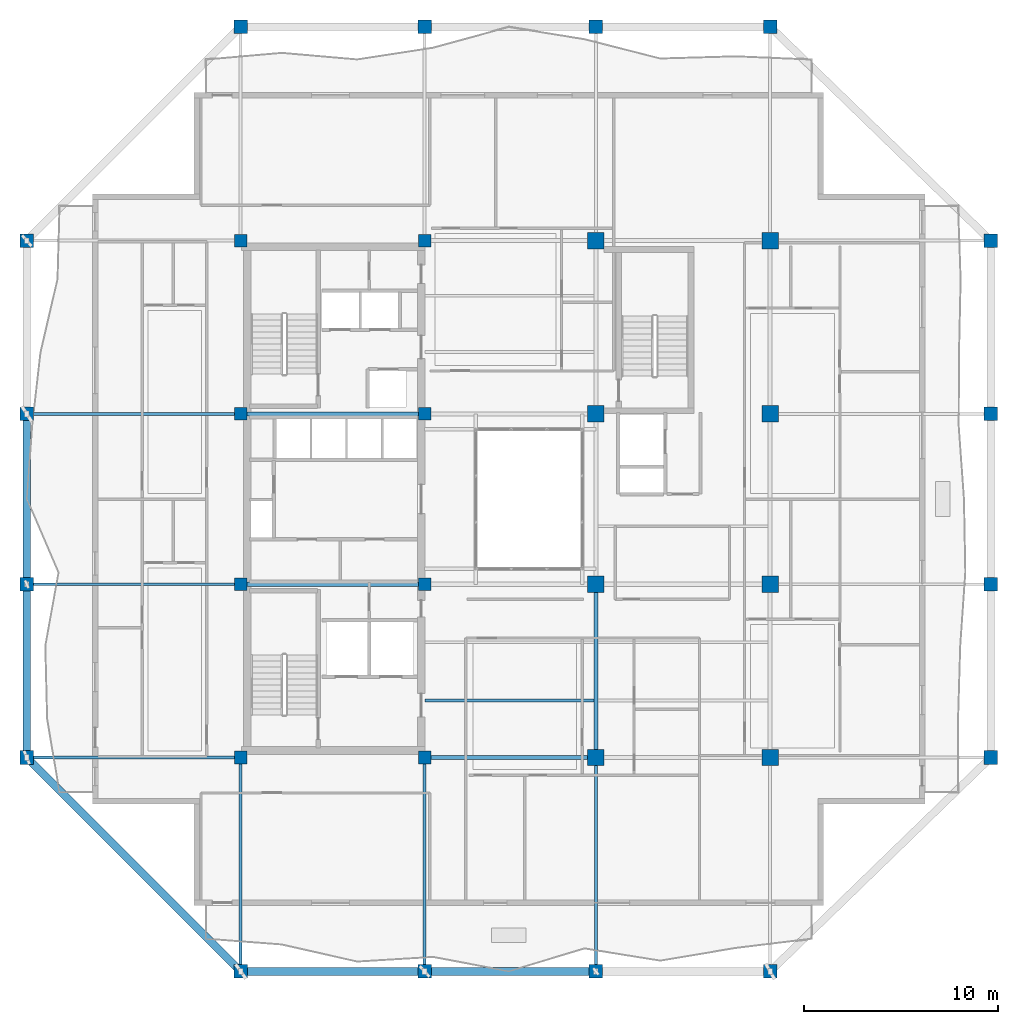
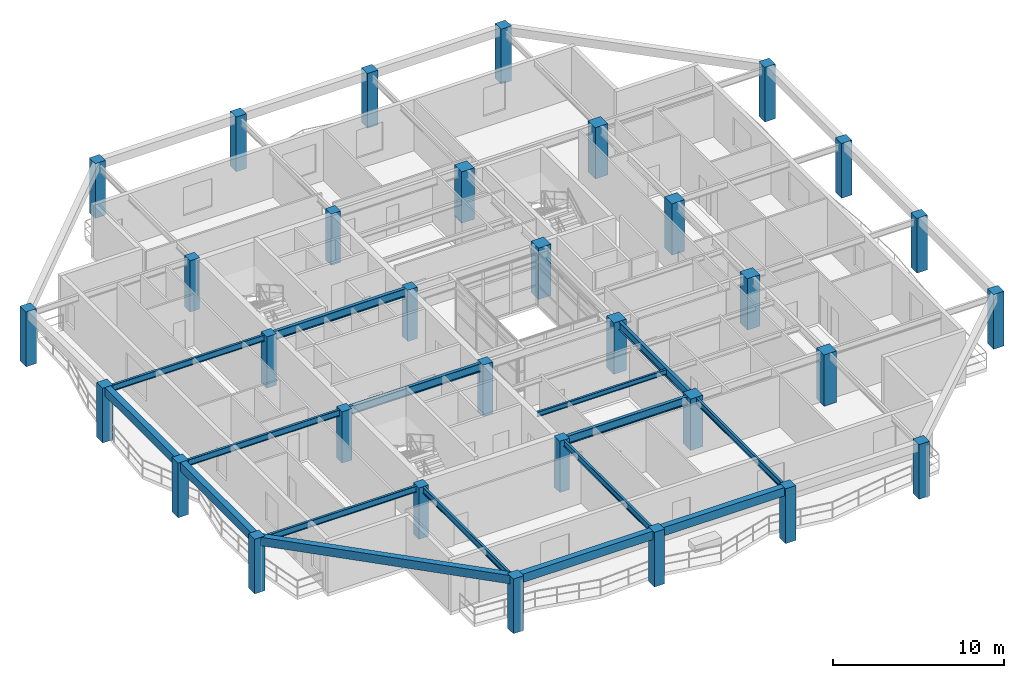
# One storey, part 1 of 15: 32 columns, 16 beams.
"""IFC4 building model written with IfcOpenShell, lengths in metres."""

from ifc_helpers import new_model, si_unit, direction, frame, origin, origin_2d, place, context, subcontext, project, spatial, rectangle, i_section, extrude, material, material_profile, profile_set, type_object, element, save


model = new_model("IFC4")

# Units and contexts
model_context = context("Model", 3, precision=1e-05, world=origin(), true_north=direction((0.0, 1.0)))
body_context = subcontext(model_context, "Body", "Model", "MODEL_VIEW")
ifc_project = project(units=[si_unit("LENGTHUNIT", "METRE"), si_unit("AREAUNIT", "SQUARE_METRE"), si_unit("VOLUMEUNIT", "CUBIC_METRE"), si_unit("PLANEANGLEUNIT", "RADIAN"), si_unit("MASSUNIT", "GRAM", prefix="KILO")], contexts=[model_context])

# Site, building, storey
site_placement = place(None, origin())
site = spatial("IfcSite", under=ifc_project, at=site_placement, CompositionType="ELEMENT")
building_placement = place(site_placement, origin())
building = spatial("IfcBuilding", under=site, at=building_placement, Name="Kundavana Baori Tower", CompositionType="ELEMENT")
storey_placement = place(building_placement, frame((0.0, 0.0, 214.10009765625)))
storey = spatial("IfcBuildingStorey", under=building, at=storey_placement, Name="L52", CompositionType="ELEMENT", Elevation=214.10009765625)

# Columns
ifc_material_1 = material(Name="Concrete C50/60", Category="concrete")
ifc_material_profile_1 = material_profile(ifc_material_1, rectangle(XDim=0.699951171875, YDim=0.699951171875, at=origin_2d()), Name="RC PF 700x700")
ifc_profile_set_1 = profile_set([ifc_material_profile_1], Name="Concrete C50/60")
column_type_1 = type_object("IfcColumnType", Name="COL-PF-700", PredefinedType="COLUMN", material=ifc_profile_set_1)
for number, where, z_axis, x_axis, name in (
    (1, (15.449951171875, 4.199951171875, 0.0), (0.0, 0.0, 1.0), (1.0, 0.0, 0.0), "L52 Stone-Clad Perimeter Frame Column PF-S1"),
    (2, (15.449951171875, 53.0, 0.0), (0.0, 0.0, 1.0), (1.0, 0.0, 0.0), "L52 Stone-Clad Perimeter Frame Column PF-N1"),
    (3, (24.949951171875, 4.199951171875, 0.0), (0.0, 0.0, 1.0), (1.0, 0.0, 0.0), "L52 Stone-Clad Perimeter Frame Column PF-S2"),
    (4, (24.949951171875, 53.0, 0.0), (0.0, 0.0, 1.0), (1.0, 0.0, 0.0), "L52 Stone-Clad Perimeter Frame Column PF-N2"),
    (5, (33.800048828125, 4.199951171875, 0.0), (0.0, 0.0, 1.0), (1.0, 0.0, 0.0), "L52 Stone-Clad Perimeter Frame Column PF-S3"),
    (6, (33.800048828125, 53.0, 0.0), (0.0, 0.0, 1.0), (1.0, 0.0, 0.0), "L52 Stone-Clad Perimeter Frame Column PF-N3"),
    (7, (42.800048828125, 4.199951171875, 0.0), (0.0, 0.0, 1.0), (1.0, 0.0, 0.0), "L52 Stone-Clad Perimeter Frame Column PF-S4"),
    (8, (42.800048828125, 53.0, 0.0), (0.0, 0.0, 1.0), (1.0, 0.0, 0.0), "L52 Stone-Clad Perimeter Frame Column PF-N4"),
    (9, (4.39990234375, 15.25, 0.0), (0.0, 0.0, 1.0), (1.0, 0.0, 0.0), "L52 Stone-Clad Perimeter Frame Column PF-W1"),
    (10, (54.199951171875, 15.25, 0.0), (0.0, 0.0, 1.0), (1.0, 0.0, 0.0), "L52 Stone-Clad Perimeter Frame Column PF-E1"),
    (11, (4.39990234375, 24.199951171875, 0.0), (0.0, 0.0, 1.0), (1.0, 0.0, 0.0), "L52 Stone-Clad Perimeter Frame Column PF-W2"),
    (12, (54.199951171875, 24.199951171875, 0.0), (0.0, 0.0, 1.0), (1.0, 0.0, 0.0), "L52 Stone-Clad Perimeter Frame Column PF-E2"),
    (13, (4.39990234375, 33.0, 0.0), (0.0, 0.0, 1.0), (1.0, 0.0, 0.0), "L52 Stone-Clad Perimeter Frame Column PF-W3"),
    (14, (54.199951171875, 33.0, 0.0), (0.0, 0.0, 1.0), (1.0, 0.0, 0.0), "L52 Stone-Clad Perimeter Frame Column PF-E3"),
    (15, (4.39990234375, 41.949951171875, 0.0), (0.0, 0.0, 1.0), (1.0, 0.0, 0.0), "L52 Stone-Clad Perimeter Frame Column PF-W4"),
    (16, (54.199951171875, 41.949951171875, 0.0), (0.0, 0.0, 1.0), (1.0, 0.0, 0.0), "L52 Stone-Clad Perimeter Frame Column PF-E4"),
):
    element("IfcColumn", number, at=place(storey_placement, frame(where, z_axis=z_axis, x_axis=x_axis)), inside=storey, type_object=column_type_1, Name=name, PredefinedType="COLUMN", context=body_context, shape_type="SweptSolid", body=[
        extrude(rectangle(XDim=0.699951171875, YDim=0.699951171875, at=origin_2d()), origin(), (0.0, 0.0, 1.0), 3.89990234375),
    ])
ifc_material_2 = material(Name="Concrete C50/60", Category="concrete")
ifc_material_profile_2 = material_profile(ifc_material_2, rectangle(XDim=0.64990234375, YDim=0.64990234375, at=origin_2d()), Name="RC 650x650")
ifc_profile_set_2 = profile_set([ifc_material_profile_2], Name="Concrete C50/60")
column_type_2 = type_object("IfcColumnType", Name="COL-RC-650", PredefinedType="COLUMN", material=ifc_profile_set_2)
for number, where, z_axis, x_axis, name in (
    (17, (15.449951171875, 15.25, 0.0), (0.0, 0.0, 1.0), (1.0, 0.0, 0.0), "L52 Interior Column IC-3C"),
    (18, (15.449951171875, 24.199951171875, 0.0), (0.0, 0.0, 1.0), (1.0, 0.0, 0.0), "L52 Interior Column IC-3D"),
    (19, (15.449951171875, 33.0, 0.0), (0.0, 0.0, 1.0), (1.0, 0.0, 0.0), "L52 Interior Column IC-3E"),
    (20, (15.449951171875, 41.949951171875, 0.0), (0.0, 0.0, 1.0), (1.0, 0.0, 0.0), "L52 Interior Column IC-3F"),
    (21, (24.949951171875, 15.25, 0.0), (0.0, 0.0, 1.0), (1.0, 0.0, 0.0), "L52 Interior Column IC-4C"),
    (22, (24.949951171875, 24.199951171875, 0.0), (0.0, 0.0, 1.0), (1.0, 0.0, 0.0), "L52 Interior Column IC-4D"),
    (23, (24.949951171875, 33.0, 0.0), (0.0, 0.0, 1.0), (1.0, 0.0, 0.0), "L52 Interior Column IC-4E"),
    (24, (24.949951171875, 41.949951171875, 0.0), (0.0, 0.0, 1.0), (1.0, 0.0, 0.0), "L52 Interior Column IC-4F"),
):
    element("IfcColumn", number, at=place(storey_placement, frame(where, z_axis=z_axis, x_axis=x_axis)), inside=storey, type_object=column_type_2, Name=name, PredefinedType="COLUMN", context=body_context, shape_type="SweptSolid", body=[
        extrude(rectangle(XDim=0.64990234375, YDim=0.64990234375, at=origin_2d()), origin(), (0.0, 0.0, 1.0), 3.659912109375),
    ])
ifc_material_3 = material(Name="Concrete C50/60", Category="concrete")
ifc_material_profile_3 = material_profile(ifc_material_3, rectangle(XDim=0.85009765625, YDim=0.85009765625, at=origin_2d()), Name="RC 850x850")
ifc_profile_set_3 = profile_set([ifc_material_profile_3], Name="Concrete C50/60")
column_type_3 = type_object("IfcColumnType", Name="COL-RC-850", PredefinedType="COLUMN", material=ifc_profile_set_3)
for number, where, z_axis, x_axis, name in (
    (25, (33.800048828125, 15.25, 0.0), (0.0, 0.0, 1.0), (1.0, 0.0, 0.0), "L52 Interior Column IC-5C"),
    (26, (33.800048828125, 24.199951171875, 0.0), (0.0, 0.0, 1.0), (1.0, 0.0, 0.0), "L52 Interior Column IC-5D"),
    (27, (33.800048828125, 33.0, 0.0), (0.0, 0.0, 1.0), (1.0, 0.0, 0.0), "L52 Interior Column IC-5E"),
    (28, (33.800048828125, 41.949951171875, 0.0), (0.0, 0.0, 1.0), (1.0, 0.0, 0.0), "L52 Interior Column IC-5F"),
    (29, (42.800048828125, 15.25, 0.0), (0.0, 0.0, 1.0), (1.0, 0.0, 0.0), "L52 Interior Column IC-6C"),
    (30, (42.800048828125, 24.199951171875, 0.0), (0.0, 0.0, 1.0), (1.0, 0.0, 0.0), "L52 Interior Column IC-6D"),
    (31, (42.800048828125, 33.0, 0.0), (0.0, 0.0, 1.0), (1.0, 0.0, 0.0), "L52 Interior Column IC-6E"),
    (32, (42.800048828125, 41.949951171875, 0.0), (0.0, 0.0, 1.0), (1.0, 0.0, 0.0), "L52 Interior Column IC-6F"),
):
    element("IfcColumn", number, at=place(storey_placement, frame(where, z_axis=z_axis, x_axis=x_axis)), inside=storey, type_object=column_type_3, Name=name, PredefinedType="COLUMN", context=body_context, shape_type="SweptSolid", body=[
        extrude(rectangle(XDim=0.85009765625, YDim=0.85009765625, at=origin_2d()), origin(), (0.0, 0.0, 1.0), 3.659912109375),
    ])

# Beams
ifc_material_4 = material(Name="Structural Steel S355JR", Category="steel")
ifc_material_profile_4 = material_profile(ifc_material_4, i_section(OverallWidth=0.139892578125, OverallDepth=0.35009765625, WebThickness=0.008056640625, FlangeThickness=0.01416015625, FilletRadius=0.013916015625, at=origin_2d()), Name="ISMB 350")
ifc_profile_set_4 = profile_set([ifc_material_profile_4], Name="Structural Steel S355JR")
beam_type_1 = type_object("IfcBeamType", Name="BM-JST-350", PredefinedType="JOIST", material=ifc_profile_set_4)
beam_1_placement = place(storey_placement, frame((24.97998046875, 18.199951171875, 3.48486328125), z_axis=(1.0, 0.0, 0.0), x_axis=(0.0, 1.0, 0.0)))
element("IfcBeam", 33, at=beam_1_placement, inside=storey, type_object=beam_type_1, Name="L52 Central Bay Composite Floor Joist C1", PredefinedType="JOIST", context=body_context, shape_type="SweptSolid", body=[
    extrude(i_section(OverallWidth=0.139892578125, OverallDepth=0.35009765625, WebThickness=0.008056640625, FlangeThickness=0.01416015625, FilletRadius=0.013916015625, at=origin_2d()), origin(), (0.0, 0.0, 1.0), 8.715087890625),
])
ifc_material_5 = material(Name="Concrete C50/60", Category="concrete")
ifc_material_profile_5 = material_profile(ifc_material_5, rectangle(XDim=0.39990234375, YDim=0.60009765625, at=origin_2d()), Name="RC BM 400x600")
ifc_profile_set_5 = profile_set([ifc_material_profile_5], Name="Concrete C50/60")
beam_type_2 = type_object("IfcBeamType", Name="BM-PF-600", PredefinedType="SPANDREL", material=ifc_profile_set_5)
beam_2_placement = place(storey_placement, frame((15.449951171875, 4.199951171875, 3.599853515625), z_axis=(1.0, 0.0, 0.0), x_axis=(0.0, 1.0, 0.0)))
element("IfcBeam", 34, at=beam_2_placement, inside=storey, type_object=beam_type_2, Name="L52 Perimeter Frame Ring Beam S1", PredefinedType="SPANDREL", context=body_context, shape_type="SweptSolid", body=[
    extrude(rectangle(XDim=0.39990234375, YDim=0.60009765625, at=origin_2d()), origin(), (0.0, 0.0, 1.0), 9.5),
])
beam_3_placement = place(storey_placement, frame((24.949951171875, 4.199951171875, 3.599853515625), z_axis=(1.0, 0.0, 0.0), x_axis=(0.0, 1.0, 0.0)))
element("IfcBeam", 35, at=beam_3_placement, inside=storey, type_object=beam_type_2, Name="L52 Perimeter Frame Ring Beam S2", PredefinedType="SPANDREL", context=body_context, shape_type="SweptSolid", body=[
    extrude(rectangle(XDim=0.39990234375, YDim=0.60009765625, at=origin_2d()), origin(), (0.0, 0.0, 1.0), 8.85009765625),
])
beam_4_placement = place(storey_placement, frame((4.39990234375, 15.25, 3.599853515625), z_axis=(0.0, 1.0, 0.0), x_axis=(-1.0, 0.0, 0.0)))
element("IfcBeam", 36, at=beam_4_placement, inside=storey, type_object=beam_type_2, Name="L52 Perimeter Frame Ring Beam W1", PredefinedType="SPANDREL", context=body_context, shape_type="SweptSolid", body=[
    extrude(rectangle(XDim=0.39990234375, YDim=0.60009765625, at=origin_2d()), origin(), (0.0, 0.0, 1.0), 8.949951171875),
])
beam_5_placement = place(storey_placement, frame((4.39990234375, 24.199951171875, 3.599853515625), z_axis=(0.0, 1.0, 0.0), x_axis=(-1.0, 0.0, 0.0)))
element("IfcBeam", 37, at=beam_5_placement, inside=storey, type_object=beam_type_2, Name="L52 Perimeter Frame Ring Beam W2", PredefinedType="SPANDREL", context=body_context, shape_type="SweptSolid", body=[
    extrude(rectangle(XDim=0.39990234375, YDim=0.60009765625, at=origin_2d()), origin(), (0.0, 0.0, 1.0), 8.800048828125),
])
beam_6_placement = place(storey_placement, frame((15.449951171875, 4.199951171875, 3.599853515625), z_axis=(-0.707106781187, 0.707106781187, 0.0), x_axis=(-0.707106781187, -0.707106781187, 0.0)))
element("IfcBeam", 38, at=beam_6_placement, inside=storey, type_object=beam_type_2, Name="L52 Notched Corner Perimeter Beam SW", PredefinedType="SPANDREL", context=body_context, shape_type="SweptSolid", body=[
    extrude(rectangle(XDim=0.39990234375, YDim=0.60009765625, at=origin_2d()), origin(), (0.0, 0.0, 1.0), 15.627197265625),
])
ifc_material_6 = material(Name="Structural Steel S355JR", Category="steel")
ifc_material_profile_6 = material_profile(ifc_material_6, i_section(OverallWidth=0.2099609375, OverallDepth=0.60009765625, WebThickness=0.011962890625, FlangeThickness=0.020751953125, FilletRadius=0.02001953125, at=origin_2d()), Name="ISMB 600")
ifc_profile_set_6 = profile_set([ifc_material_profile_6], Name="Structural Steel S355JR")
beam_type_3 = type_object("IfcBeamType", Name="BM-ST-600", PredefinedType="BEAM", material=ifc_profile_set_6)
beam_7_placement = place(storey_placement, frame((24.949951171875, 15.25, 3.35986328125), z_axis=(1.0, 0.0, 0.0), x_axis=(0.0, 1.0, 0.0)))
element("IfcBeam", 39, at=beam_7_placement, inside=storey, type_object=beam_type_3, Name="L52 Primary Grid Girder GX-1-2", PredefinedType="BEAM", context=body_context, shape_type="SweptSolid", body=[
    extrude(i_section(OverallWidth=0.2099609375, OverallDepth=0.60009765625, WebThickness=0.011962890625, FlangeThickness=0.020751953125, FilletRadius=0.02001953125, at=origin_2d()), origin(), (0.0, 0.0, 1.0), 8.85009765625),
])
for number, where, z_axis, x_axis, name in (
    (40, (15.449951171875, 24.199951171875, 3.35986328125), (1.0, 0.0, 0.0), (0.0, 1.0, 0.0), "L52 Primary Grid Girder GX-2-1"),
    (41, (15.449951171875, 33.0, 3.35986328125), (1.0, 0.0, 0.0), (0.0, 1.0, 0.0), "L52 Primary Grid Girder GX-3-1"),
):
    element("IfcBeam", number, at=place(storey_placement, frame(where, z_axis=z_axis, x_axis=x_axis)), inside=storey, type_object=beam_type_3, Name=name, PredefinedType="BEAM", context=body_context, shape_type="SweptSolid", body=[
        extrude(i_section(OverallWidth=0.2099609375, OverallDepth=0.60009765625, WebThickness=0.011962890625, FlangeThickness=0.020751953125, FilletRadius=0.02001953125, at=origin_2d()), origin(), (0.0, 0.0, 1.0), 9.5),
    ])
beam_8_placement = place(storey_placement, frame((33.800048828125, 15.25, 3.35986328125), z_axis=(0.0, 1.0, 0.0), x_axis=(-1.0, 0.0, 0.0)))
element("IfcBeam", 42, at=beam_8_placement, inside=storey, type_object=beam_type_3, Name="L52 Primary Grid Girder GY-3-1", PredefinedType="BEAM", context=body_context, shape_type="SweptSolid", body=[
    extrude(i_section(OverallWidth=0.2099609375, OverallDepth=0.60009765625, WebThickness=0.011962890625, FlangeThickness=0.020751953125, FilletRadius=0.02001953125, at=origin_2d()), origin(), (0.0, 0.0, 1.0), 8.949951171875),
])
ifc_material_7 = material(Name="Structural Steel S355JR", Category="steel")
ifc_material_profile_7 = material_profile(ifc_material_7, i_section(OverallWidth=0.14990234375, OverallDepth=0.449951171875, WebThickness=0.009521484375, FlangeThickness=0.017333984375, FilletRadius=0.014892578125, at=origin_2d()), Name="ISMB 450")
ifc_profile_set_7 = profile_set([ifc_material_profile_7], Name="Structural Steel S355JR")
beam_type_4 = type_object("IfcBeamType", Name="BM-TIE-450", PredefinedType="BEAM", material=ifc_profile_set_7)
for number, where, z_axis, x_axis, name in (
    (43, (15.449951171875, 15.25, 3.434814453125), (0.0, -1.0, 0.0), (1.0, 0.0, 0.0), "L52 South Radial Loggia Tie Beam S1"),
    (44, (24.949951171875, 15.25, 3.434814453125), (0.0, -1.0, 0.0), (1.0, 0.0, 0.0), "L52 South Radial Loggia Tie Beam S2"),
    (45, (33.800048828125, 15.25, 3.434814453125), (0.0, -1.0, 0.0), (1.0, 0.0, 0.0), "L52 South Radial Loggia Tie Beam S3"),
    (46, (15.449951171875, 15.25, 3.434814453125), (-1.0, 0.0, 0.0), (0.0, -1.0, 0.0), "L52 West Radial Loggia Tie Beam W1"),
    (47, (15.449951171875, 24.199951171875, 3.434814453125), (-1.0, 0.0, 0.0), (0.0, -1.0, 0.0), "L52 West Radial Loggia Tie Beam W2"),
    (48, (15.449951171875, 33.0, 3.434814453125), (-1.0, 0.0, 0.0), (0.0, -1.0, 0.0), "L52 West Radial Loggia Tie Beam W3"),
):
    element("IfcBeam", number, at=place(storey_placement, frame(where, z_axis=z_axis, x_axis=x_axis)), inside=storey, type_object=beam_type_4, Name=name, PredefinedType="BEAM", context=body_context, shape_type="SweptSolid", body=[
        extrude(i_section(OverallWidth=0.14990234375, OverallDepth=0.449951171875, WebThickness=0.009521484375, FlangeThickness=0.017333984375, FilletRadius=0.014892578125, at=origin_2d()), origin(), (0.0, 0.0, 1.0), 11.050048828125),
    ])

save(model, "model.ifc")
